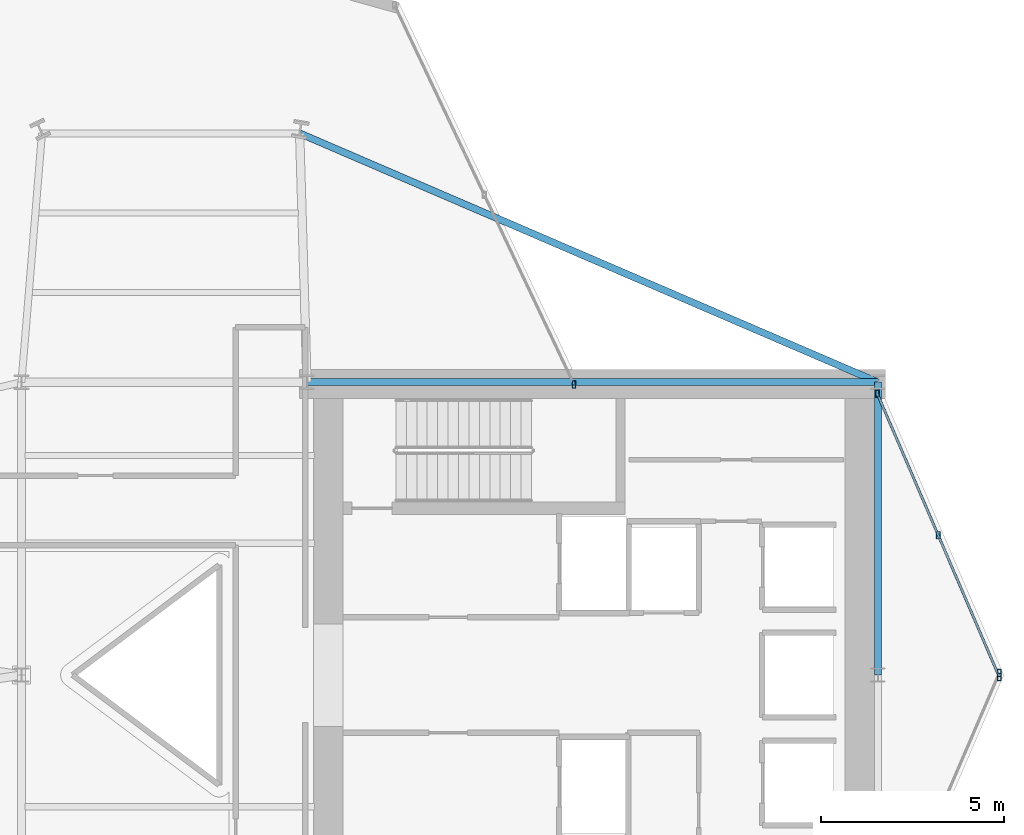
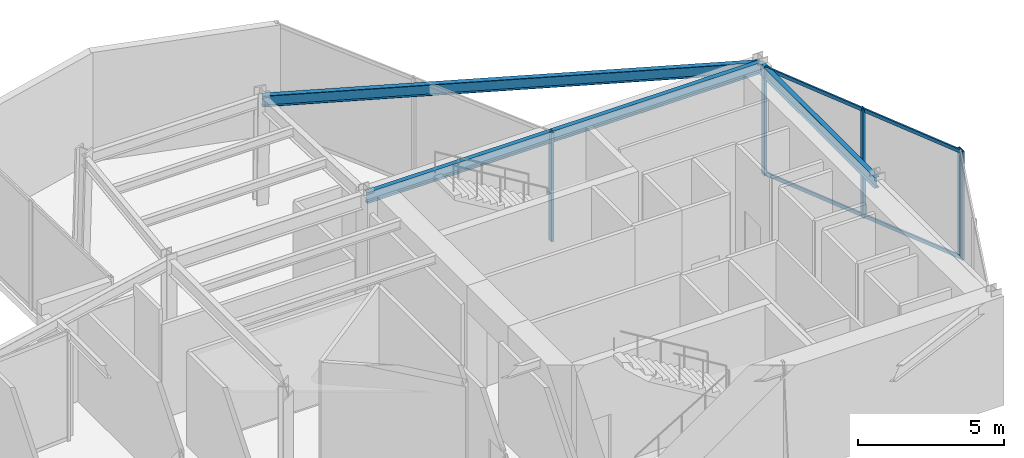
# One storey, part 7 of 13: 7 members, 3 beams, 3 elements without a shape of their own.
"""IFC4 building model written with IfcOpenShell, lengths in metres."""

from ifc_helpers import new_model, si_unit, direction, frame, origin, origin_2d, place, context, subcontext, project, spatial, hollow_rectangle, i_section, extrude, material, layer, layer_set, material_profile, profile_set, type_object, element, aggregate, save


model = new_model("IFC4")

# Units and contexts
model_context = context("Model", 3, precision=1e-05, world=origin(), true_north=direction((0.0, 1.0)))
body_context = subcontext(model_context, "Body", "Model", "MODEL_VIEW")
ifc_project = project(units=[si_unit("LENGTHUNIT", "METRE"), si_unit("AREAUNIT", "SQUARE_METRE"), si_unit("VOLUMEUNIT", "CUBIC_METRE"), si_unit("PLANEANGLEUNIT", "RADIAN"), si_unit("MASSUNIT", "GRAM", prefix="KILO")], contexts=[model_context])

# Site, building, storey
site_placement = place(None, origin())
site = spatial("IfcSite", under=ifc_project, at=site_placement, CompositionType="ELEMENT")
building_placement = place(site_placement, origin())
building = spatial("IfcBuilding", under=site, at=building_placement, Name="Veymaron Broadcast Tower", CompositionType="ELEMENT")
storey_placement = place(building_placement, frame((0.0, 0.0, 112.050048828125)))
storey = spatial("IfcBuildingStorey", under=building, at=storey_placement, Name="L25", CompositionType="ELEMENT", Elevation=112.050048828125)

# Beams
ifc_material_1 = material(Name="Structural steel ASTM A992 Gr 50", Category="steel")
ifc_material_profile_1 = material_profile(ifc_material_1, i_section(OverallWidth=0.19091796875, OverallDepth=0.4599609375, WebThickness=0.010009765625, FlangeThickness=0.01611328125, at=origin_2d()), Name="W460X82")
ifc_profile_set_1 = profile_set([ifc_material_profile_1], Name="Structural steel ASTM A992 Gr 50")
beam_type = type_object("IfcBeamType", Name="BM-SP1", PredefinedType="SPANDREL", material=ifc_profile_set_1)
beam_1_placement = place(storey_placement, frame((39.0, 32.0, 4.329833984375), z_axis=(1.0, 0.0, 0.0), x_axis=(0.0, 1.0, 0.0)))
element("IfcBeam", 1, at=beam_1_placement, inside=storey, type_object=beam_type, Name="L25 primary structural floor girder", PredefinedType="SPANDREL", context=body_context, shape_type="SweptSolid", body=[
    extrude(i_section(OverallWidth=0.19091796875, OverallDepth=0.4599609375, WebThickness=0.010009765625, FlangeThickness=0.01611328125, at=origin_2d()), origin(), (0.0, 0.0, 1.0), 15.60009765625),
])
beam_2_placement = place(storey_placement, frame((54.60009765625, 24.0, 4.329833984375), z_axis=(0.0, 1.0, 0.0), x_axis=(-1.0, 0.0, 0.0)))
element("IfcBeam", 2, at=beam_2_placement, inside=storey, type_object=beam_type, Name="L25 primary structural floor girder", PredefinedType="SPANDREL", context=body_context, shape_type="SweptSolid", body=[
    extrude(i_section(OverallWidth=0.19091796875, OverallDepth=0.4599609375, WebThickness=0.010009765625, FlangeThickness=0.01611328125, at=origin_2d()), origin(), (0.0, 0.0, 1.0), 8.0),
])
beam_3_placement = place(storey_placement, frame((54.60009765625, 32.0, 4.329833984375), z_axis=(-0.918541968862, 0.395323476964, 0.0), x_axis=(-0.395323476964, -0.918541968862, 0.0)))
element("IfcBeam", 3, at=beam_3_placement, inside=storey, type_object=beam_type, Name="L25 primary structural floor girder", PredefinedType="SPANDREL", context=body_context, shape_type="SweptSolid", body=[
    extrude(i_section(OverallWidth=0.19091796875, OverallDepth=0.4599609375, WebThickness=0.010009765625, FlangeThickness=0.01611328125, at=origin_2d()), origin(), (0.0, 0.0, 1.0), 17.201171875),
])

# Curtain wall, member
ifc_material_2 = material(Name="Anodised aluminium AA 6063-T6 and laminated low-E dark glass", Category="aluminium")
ifc_layer = layer(ifc_material_2, 0.179931640625)
ifc_layer_set = layer_set([ifc_layer], Name="Anodised aluminium AA 6063-T6 and laminated low-E dark glass")
curtain_wall_type = type_object("IfcCurtainWallType", Name="CW-SYS-04", PredefinedType="NOTDEFINED", material=ifc_layer_set)
curtain_wall_1_placement = place(storey_placement, origin())
curtain_wall_1 = element("IfcCurtainWall", 4, at=curtain_wall_1_placement, inside=storey, type_object=curtain_wall_type, Name="L25 dark-glass curtain wall CW-L25-E2-1", PredefinedType="NOTDEFINED")
ifc_material_3 = material(Name="Anodised aluminium AA 6063-T6", Category="aluminium")
ifc_material_profile_2 = material_profile(ifc_material_3, hollow_rectangle(XDim=0.10009765625, YDim=0.199951171875, WallThickness=0.010009765625, at=origin_2d()), Name="RHS200X100X10")
ifc_profile_set_2 = profile_set([ifc_material_profile_2], Name="Anodised aluminium AA 6063-T6")
member_type_1 = type_object("IfcMemberType", Name="CW-MUL-01", PredefinedType="MULLION", material=ifc_profile_set_2)
member_1_placement = place(storey_placement, frame((57.915283203125, 24.055419921875, 0.0), z_axis=(0.0, 0.0, 1.0), x_axis=(1.0, 0.0, 0.0)))
member_1 = element("IfcMember", 5, at=member_1_placement, type_object=member_type_1, Name="CW-L25-E2-1 mullion 2", PredefinedType="MULLION", context=body_context, shape_type="SweptSolid", body=[
    extrude(hollow_rectangle(XDim=0.10009765625, YDim=0.199951171875, WallThickness=0.010009765625, at=origin_2d()), origin(), (0.0, 0.0, 1.0), 4.56005859375),
])
aggregate(curtain_wall_1, [member_1])

# Curtain wall, members
curtain_wall_2_placement = place(storey_placement, origin())
curtain_wall_2 = element("IfcCurtainWall", 6, at=curtain_wall_2_placement, inside=storey, type_object=curtain_wall_type, Name="L25 dark-glass curtain wall CW-L25-E3-1", PredefinedType="NOTDEFINED")
member_2_placement = place(storey_placement, frame((57.915283203125, 23.944580078125, 0.0), z_axis=(0.0, 0.0, 1.0), x_axis=(1.0, 0.0, 0.0)))
member_2 = element("IfcMember", 7, at=member_2_placement, type_object=member_type_1, Name="CW-L25-E3-1 mullion 0", PredefinedType="MULLION", context=body_context, shape_type="SweptSolid", body=[
    extrude(hollow_rectangle(XDim=0.10009765625, YDim=0.199951171875, WallThickness=0.010009765625, at=origin_2d()), origin(), (0.0, 0.0, 1.0), 4.56005859375),
])
member_3_placement = place(storey_placement, frame((56.247802734375, 27.818603515625, 0.0), z_axis=(0.0, 0.0, 1.0), x_axis=(1.0, 0.0, 0.0)))
member_3 = element("IfcMember", 8, at=member_3_placement, type_object=member_type_1, Name="CW-L25-E3-1 mullion 1", PredefinedType="MULLION", context=body_context, shape_type="SweptSolid", body=[
    extrude(hollow_rectangle(XDim=0.10009765625, YDim=0.199951171875, WallThickness=0.010009765625, at=origin_2d()), origin(), (0.0, 0.0, 1.0), 4.56005859375),
])
member_4_placement = place(storey_placement, frame((54.579833984375, 31.692626953125, 0.0), z_axis=(0.0, 0.0, 1.0), x_axis=(1.0, 0.0, 0.0)))
member_4 = element("IfcMember", 9, at=member_4_placement, type_object=member_type_1, Name="CW-L25-E3-1 mullion 2", PredefinedType="MULLION", context=body_context, shape_type="SweptSolid", body=[
    extrude(hollow_rectangle(XDim=0.10009765625, YDim=0.199951171875, WallThickness=0.010009765625, at=origin_2d()), origin(), (0.0, 0.0, 1.0), 4.56005859375),
])

# Curtain wall, member
curtain_wall_3_placement = place(storey_placement, origin())
curtain_wall_3 = element("IfcCurtainWall", 10, at=curtain_wall_3_placement, inside=storey, type_object=curtain_wall_type, Name="L25 dark-glass curtain wall CW-L25-E5-1", PredefinedType="NOTDEFINED")
member_5_placement = place(storey_placement, frame((46.294921875, 31.940185546875, 0.0), z_axis=(0.0, 0.0, 1.0), x_axis=(1.0, 0.0, 0.0)))
member_5 = element("IfcMember", 11, at=member_5_placement, type_object=member_type_1, Name="CW-L25-E5-1 mullion 0", PredefinedType="MULLION", context=body_context, shape_type="SweptSolid", body=[
    extrude(hollow_rectangle(XDim=0.10009765625, YDim=0.199951171875, WallThickness=0.010009765625, at=origin_2d()), origin(), (0.0, 0.0, 1.0), 4.56005859375),
])
aggregate(curtain_wall_3, [member_5])

# Member
ifc_material_profile_3 = material_profile(ifc_material_3, hollow_rectangle(XDim=0.06494140625, YDim=0.14990234375, WallThickness=0.00390625, at=origin_2d()), Name="AL150X65X4")
ifc_profile_set_3 = profile_set([ifc_material_profile_3], Name="Anodised aluminium AA 6063-T6")
member_type_2 = type_object("IfcMemberType", Name="CW-TRN-01", PredefinedType="USERDEFINED", material=ifc_profile_set_3)
member_6_placement = place(storey_placement, frame((57.8955078125, 23.990478515625, 0.070068359375), z_axis=(-0.395403441299, 0.918507549566, 0.0), x_axis=(-0.918507549566, -0.395403441299, 0.0)))
member_6 = element("IfcMember", 12, at=member_6_placement, type_object=member_type_2, Name="CW-L25-E3-1 transom B", ObjectType="TRANSOM", PredefinedType="USERDEFINED", context=body_context, shape_type="SweptSolid", body=[
    extrude(hollow_rectangle(XDim=0.06494140625, YDim=0.14990234375, WallThickness=0.00390625, at=origin_2d()), origin(), (0.0, 0.0, 1.0), 8.33544921875),
])

member_7_placement = place(storey_placement, frame((57.8955078125, 23.990478515625, 4.489990234375), z_axis=(-0.395403441299, 0.918507549566, 0.0), x_axis=(-0.918507549566, -0.395403441299, 0.0)))
member_7 = element("IfcMember", 13, at=member_7_placement, type_object=member_type_2, Name="CW-L25-E3-1 transom T", ObjectType="TRANSOM", PredefinedType="USERDEFINED", context=body_context, shape_type="SweptSolid", body=[
    extrude(hollow_rectangle(XDim=0.06494140625, YDim=0.14990234375, WallThickness=0.00390625, at=origin_2d()), origin(), (0.0, 0.0, 1.0), 8.33544921875),
])

aggregate(curtain_wall_2, [member_2, member_3, member_4, member_6, member_7])

save(model, "model.ifc")
